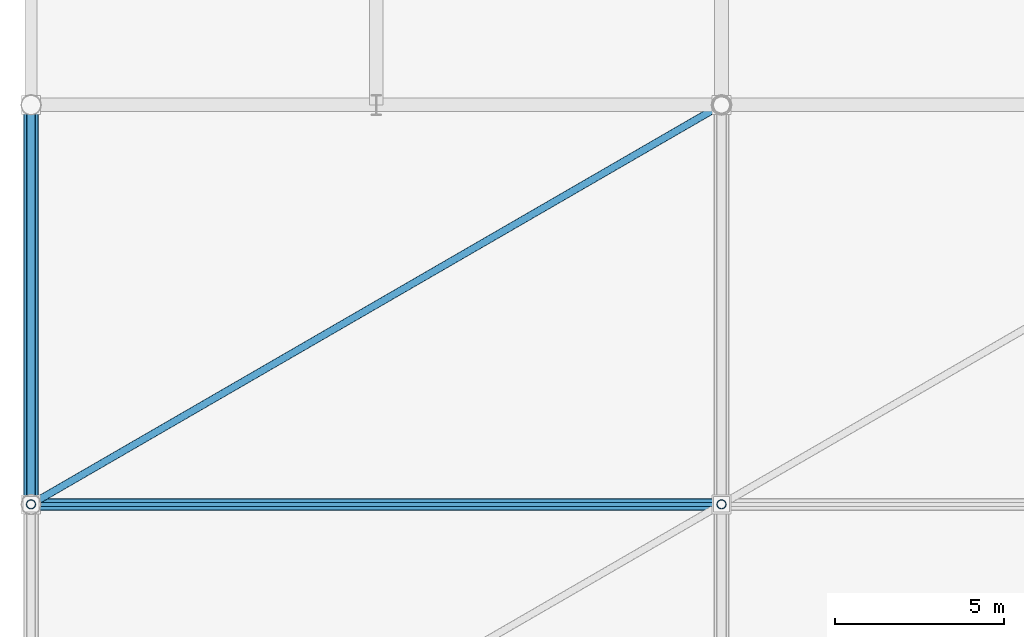
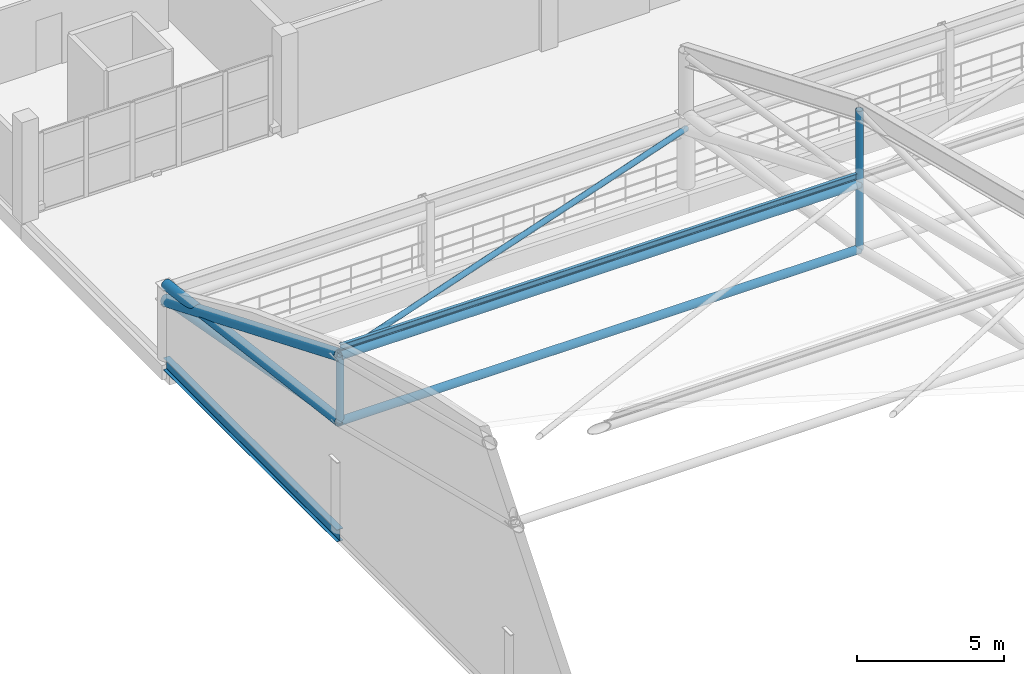
# One storey, part 27 of 135: 10 members, 1 beam.
"""IFC4 building model written with IfcOpenShell, lengths in metres."""

from ifc_helpers import new_model, si_unit, direction, frame, origin, origin_2d, place, context, subcontext, project, spatial, hollow_circle, i_section, extrude, material, material_profile, profile_set, type_object, element, save


model = new_model("IFC4")

# Units and contexts
model_context = context("Model", 3, precision=1e-05, world=origin(), true_north=direction((0.0, 1.0)))
body_context = subcontext(model_context, "Body", "Model", "MODEL_VIEW")
ifc_project = project(units=[si_unit("LENGTHUNIT", "METRE"), si_unit("AREAUNIT", "SQUARE_METRE"), si_unit("VOLUMEUNIT", "CUBIC_METRE"), si_unit("PLANEANGLEUNIT", "RADIAN"), si_unit("MASSUNIT", "GRAM", prefix="KILO")], contexts=[model_context])

# Site, building, storey
site_placement = place(None, origin())
site = spatial("IfcSite", under=ifc_project, at=site_placement, CompositionType="ELEMENT")
building_placement = place(site_placement, origin())
building = spatial("IfcBuilding", under=site, at=building_placement, Name="Brelvane Convention Centre", CompositionType="ELEMENT")
storey_placement = place(building_placement, frame((0.0, 0.0, 15.0)))
storey = spatial("IfcBuildingStorey", under=building, at=storey_placement, Name="L03", CompositionType="ELEMENT", Elevation=15.0)

# Members
ifc_material_1 = material(Name="Steel E350 (350 MPa)", Category="steel")
ifc_material_profile_1 = material_profile(ifc_material_1, hollow_circle(Radius=0.136474609375, WallThickness=0.012451171875, at=origin_2d()), Name="CHS 273.0x12.5")
ifc_profile_set_1 = profile_set([ifc_material_profile_1], Name="Steel E350 (350 MPa)")
member_type_1 = type_object("IfcMemberType", Name="Steel Brace SF-DG1 (CHS 273.0x12.5)", PredefinedType="BRACE", material=ifc_profile_set_1)
member_1_placement = place(storey_placement, frame((0.0, 87.800048828125, 4.489013671875), z_axis=(0.0, 0.983819064294, -0.179164864666), x_axis=(-1.0, 0.0, 0.0)))
element("IfcMember", 1, at=member_1_placement, inside=storey, type_object=member_type_1, Name="SF_EXH Space-Frame Web Diagonal D1.6", PredefinedType="BRACE", context=body_context, shape_type="SweptSolid", body=[
    extrude(hollow_circle(Radius=0.136474609375, WallThickness=0.012451171875, at=origin_2d()), origin(), (0.0, 0.0, 1.0), 11.994140625),
])
ifc_material_2 = material(Name="Steel E350 (350 MPa)", Category="steel")
ifc_material_profile_2 = material_profile(ifc_material_2, hollow_circle(Radius=0.109619140625, WallThickness=0.010009765625, at=origin_2d()), Name="CHS 219.1x10.0")
ifc_profile_set_2 = profile_set([ifc_material_profile_2], Name="Steel E350 (350 MPa)")
member_type_2 = type_object("IfcMemberType", Name="Steel Brace SF-DG2 (CHS 219.1x10.0)", PredefinedType="BRACE", material=ifc_profile_set_2)
member_2_placement = place(storey_placement, frame((0.0, 87.800048828125, 7.22900390625), z_axis=(0.847572434082, 0.490266862018, -0.203124033516), x_axis=(-0.500705052683, 0.865617958581, 0.0)))
element("IfcMember", 2, at=member_2_placement, inside=storey, type_object=member_type_2, Name="SF_EXH Roof Diaphragm Brace PB1.6", PredefinedType="BRACE", context=body_context, shape_type="SweptSolid", body=[
    extrude(hollow_circle(Radius=0.109619140625, WallThickness=0.010009765625, at=origin_2d()), origin(), (0.0, 0.0, 1.0), 24.068603515625),
])
ifc_material_3 = material(Name="Steel E450 (450 MPa)", Category="steel")
ifc_material_profile_3 = material_profile(ifc_material_3, hollow_circle(Radius=0.203125, WallThickness=0.01611328125, at=origin_2d()), Name="CHS 406.4x16.0")
ifc_profile_set_3 = profile_set([ifc_material_profile_3], Name="Steel E450 (450 MPa)")
member_type_3 = type_object("IfcMemberType", Name="Steel Chord SF-BC1 (CHS 406.4x16.0)", PredefinedType="CHORD", material=ifc_profile_set_3)
member_3_placement = place(storey_placement, frame((0.0, 87.800048828125, 4.489013671875), z_axis=(0.0, 0.992132246813, -0.125194268374), x_axis=(-1.0, 0.0, 0.0)))
element("IfcMember", 3, at=member_3_placement, inside=storey, type_object=member_type_3, Name="SF_EXH Space-Frame Bottom Chord B1.6", PredefinedType="CHORD", context=body_context, shape_type="SweptSolid", body=[
    extrude(hollow_circle(Radius=0.203125, WallThickness=0.01611328125, at=origin_2d()), origin(), (0.0, 0.0, 1.0), 11.8935546875),
])
ifc_material_4 = material(Name="Steel E350 (350 MPa)", Category="steel")
ifc_material_profile_4 = material_profile(ifc_material_4, hollow_circle(Radius=0.161865234375, WallThickness=0.012451171875, at=origin_2d()), Name="CHS 323.9x12.5")
ifc_profile_set_4 = profile_set([ifc_material_profile_4], Name="Steel E350 (350 MPa)")
member_type_4 = type_object("IfcMemberType", Name="Steel Chord SF-BC2 (CHS 323.9x12.5)", PredefinedType="CHORD", material=ifc_profile_set_4)
member_4_placement = place(storey_placement, frame((0.0, 87.800048828125, 4.489013671875), z_axis=(1.0, 0.0, 0.0), x_axis=(0.0, 1.0, 0.0)))
element("IfcMember", 4, at=member_4_placement, inside=storey, type_object=member_type_4, Name="SF_EXH Longitudinal Bottom Chord LB1.6", PredefinedType="CHORD", context=body_context, shape_type="SweptSolid", body=[
    extrude(hollow_circle(Radius=0.161865234375, WallThickness=0.012451171875, at=origin_2d()), origin(), (0.0, 0.0, 1.0), 20.39990234375),
])
ifc_material_5 = material(Name="Steel E450 (450 MPa)", Category="steel")
ifc_material_profile_5 = material_profile(ifc_material_5, hollow_circle(Radius=0.228515625, WallThickness=0.02001953125, at=origin_2d()), Name="CHS 457.0x20.0")
ifc_profile_set_5 = profile_set([ifc_material_profile_5], Name="Steel E450 (450 MPa)")
member_type_5 = type_object("IfcMemberType", Name="Steel Chord SF-TC1 (CHS 457.0x20.0)", PredefinedType="CHORD", material=ifc_profile_set_5)
member_5_placement = place(storey_placement, frame((0.0, 87.800048828125, 7.22900390625), z_axis=(0.0, 0.923846983903, -0.382762002207), x_axis=(-1.0, 0.0, 0.0)))
element("IfcMember", 5, at=member_5_placement, inside=storey, type_object=member_type_5, Name="SF_EXH Space-Frame Top Chord T1.6", PredefinedType="CHORD", context=body_context, shape_type="SweptSolid", body=[
    extrude(hollow_circle(Radius=0.228515625, WallThickness=0.02001953125, at=origin_2d()), origin(), (0.0, 0.0, 1.0), 12.772705078125),
])
ifc_material_6 = material(Name="Steel E450 (450 MPa)", Category="steel")
ifc_material_profile_6 = material_profile(ifc_material_6, hollow_circle(Radius=0.177734375, WallThickness=0.01611328125, at=origin_2d()), Name="CHS 355.6x16.0")
ifc_profile_set_6 = profile_set([ifc_material_profile_6], Name="Steel E450 (450 MPa)")
member_type_6 = type_object("IfcMemberType", Name="Steel Chord SF-TC2 (CHS 355.6x16.0)", PredefinedType="CHORD", material=ifc_profile_set_6)
member_6_placement = place(storey_placement, frame((0.0, 87.800048828125, 7.22900390625), z_axis=(1.0, 0.0, 0.0), x_axis=(0.0, 1.0, 0.0)))
element("IfcMember", 6, at=member_6_placement, inside=storey, type_object=member_type_6, Name="SF_EXH Longitudinal Top Chord LT1.6", PredefinedType="CHORD", context=body_context, shape_type="SweptSolid", body=[
    extrude(hollow_circle(Radius=0.177734375, WallThickness=0.01611328125, at=origin_2d()), origin(), (0.0, 0.0, 1.0), 20.39990234375),
])
ifc_material_7 = material(Name="Steel E350 (350 MPa)", Category="steel")
ifc_material_profile_7 = material_profile(ifc_material_7, i_section(OverallWidth=0.125, OverallDepth=0.25, WebThickness=0.0068359375, FlangeThickness=0.012451171875, FilletRadius=0.012939453125, at=origin_2d()), Name="ISMB 250")
ifc_profile_set_7 = profile_set([ifc_material_profile_7], Name="Steel E350 (350 MPa)")
member_type_7 = type_object("IfcMemberType", Name="Steel Purlin PR-ST1 (ISMB 250)", PredefinedType="PURLIN", material=ifc_profile_set_7)
member_7_placement = place(storey_placement, frame((0.0, 87.800048828125, 7.56396484375), z_axis=(1.0, 0.0, 0.0), x_axis=(0.0, 1.0, 0.0)))
element("IfcMember", 7, at=member_7_placement, inside=storey, type_object=member_type_7, Name="SF_EXH Roof Purlin P1.6", PredefinedType="PURLIN", context=body_context, shape_type="SweptSolid", body=[
    extrude(i_section(OverallWidth=0.125, OverallDepth=0.25, WebThickness=0.0068359375, FlangeThickness=0.012451171875, FilletRadius=0.012939453125, at=origin_2d()), origin(), (0.0, 0.0, 1.0), 20.39990234375),
])

# Beam
ifc_material_8 = material(Name="Steel E350 (350 MPa)", Category="steel")
ifc_material_profile_8 = material_profile(ifc_material_8, i_section(OverallWidth=0.25, OverallDepth=0.5, WebThickness=0.010009765625, FlangeThickness=0.0146484375, FilletRadius=0.01611328125, at=origin_2d()), Name="ISWB 500")
ifc_profile_set_8 = profile_set([ifc_material_profile_8], Name="Steel E350 (350 MPa)")
beam_type = type_object("IfcBeamType", Name="Steel Spandrel SP-ST1 (ISWB 500)", PredefinedType="SPANDREL", material=ifc_profile_set_8)
beam_placement = place(storey_placement, frame((0.0, 87.800048828125, -0.25), z_axis=(0.0, 1.0, 0.0), x_axis=(-1.0, 0.0, 0.0)))
element("IfcBeam", 8, at=beam_placement, inside=storey, type_object=beam_type, Name="West Hull Wall Girt L03-6", PredefinedType="SPANDREL", context=body_context, shape_type="SweptSolid", body=[
    extrude(i_section(OverallWidth=0.25, OverallDepth=0.5, WebThickness=0.010009765625, FlangeThickness=0.0146484375, FilletRadius=0.01611328125, at=origin_2d()), origin(), (0.0, 0.0, 1.0), 11.800048828125),
])

# Members
ifc_material_9 = material(Name="Steel E350 (350 MPa)", Category="steel")
ifc_material_profile_9 = material_profile(ifc_material_9, hollow_circle(Radius=0.136474609375, WallThickness=0.012451171875, at=origin_2d()), Name="CHS 273.0x12.5")
ifc_profile_set_9 = profile_set([ifc_material_profile_9], Name="Steel E350 (350 MPa)")
member_type_8 = type_object("IfcMemberType", Name="Steel Strut SF-VT1 (CHS 273.0x12.5)", PredefinedType="STRUT", material=ifc_profile_set_9)
for number, where, z_axis, x_axis, name in (
    (9, (0.0, 87.800048828125, 4.489013671875), (0.0, 0.0, 1.0), (1.0, 0.0, 0.0), "SF_EXH Space-Frame Post V1.5"),
    (10, (20.39990234375, 87.800048828125, 4.489013671875), (0.0, 0.0, 1.0), (1.0, 0.0, 0.0), "SF_EXH Space-Frame Post V2.5"),
):
    element("IfcMember", number, at=place(storey_placement, frame(where, z_axis=z_axis, x_axis=x_axis)), inside=storey, type_object=member_type_8, Name=name, PredefinedType="STRUT", context=body_context, shape_type="SweptSolid", body=[
        extrude(hollow_circle(Radius=0.136474609375, WallThickness=0.012451171875, at=origin_2d()), origin(), (0.0, 0.0, 1.0), 2.739990234375),
    ])
member_8_placement = place(storey_placement, frame((20.39990234375, 87.800048828125, 7.22900390625), z_axis=(0.0, 0.0, 1.0), x_axis=(1.0, 0.0, 0.0)))
element("IfcMember", 11, at=member_8_placement, inside=storey, type_object=member_type_8, Name="EXO_EXH Roof Suspension Hanger 2.5", PredefinedType="STRUT", context=body_context, shape_type="SweptSolid", body=[
    extrude(hollow_circle(Radius=0.136474609375, WallThickness=0.012451171875, at=origin_2d()), origin(), (0.0, 0.0, 1.0), 3.059814453125),
])

save(model, "model.ifc")
